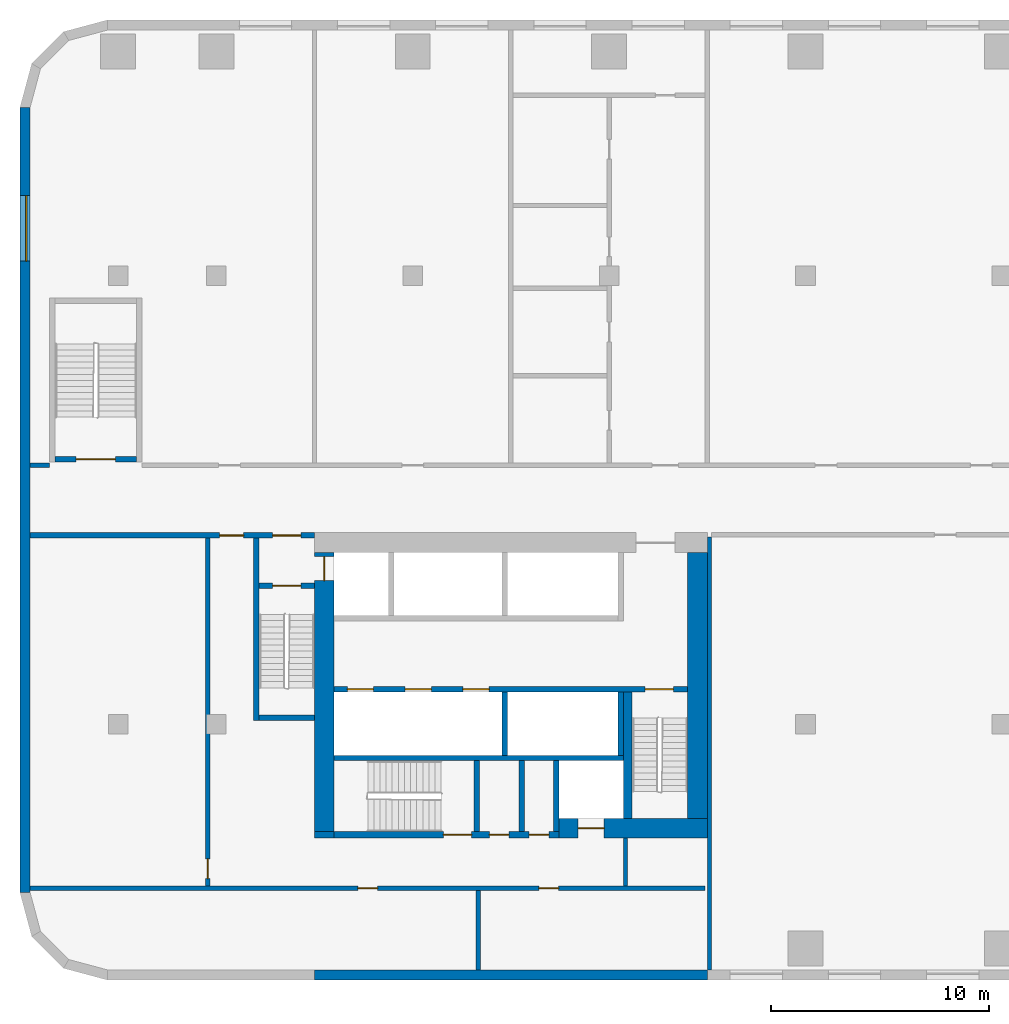
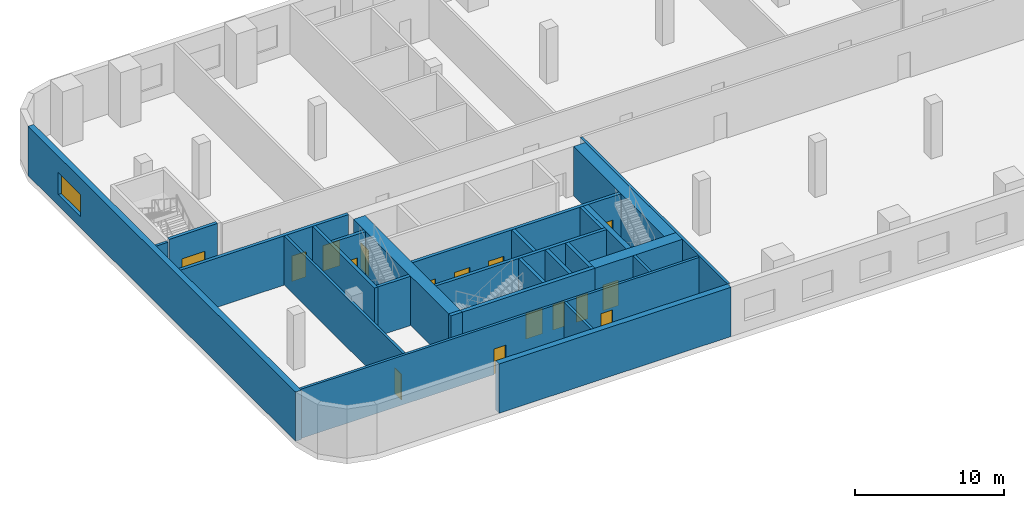
# One storey, part 2 of 15: 26 walls, 16 doors, 1 window, 17 openings.
"""IFC4 building model written with IfcOpenShell, lengths in metres."""

from ifc_helpers import new_model, si_unit, direction, frame, frame_2d, origin, place, context, subcontext, project, spatial, rectangle, extrude, material, layer, layer_set, type_object, element, fill, save


model = new_model("IFC4")

# Units and contexts
model_context = context("Model", 3, precision=1e-05, world=origin(), true_north=direction((0.0, 1.0)))
body_context = subcontext(model_context, "Body", "Model", "MODEL_VIEW")
ifc_project = project(units=[si_unit("LENGTHUNIT", "METRE"), si_unit("AREAUNIT", "SQUARE_METRE"), si_unit("VOLUMEUNIT", "CUBIC_METRE"), si_unit("PLANEANGLEUNIT", "RADIAN"), si_unit("MASSUNIT", "GRAM", prefix="KILO")], contexts=[model_context])

# Site, building, storey
site_placement = place(None, origin())
site = spatial("IfcSite", under=ifc_project, at=site_placement, CompositionType="ELEMENT")
building_placement = place(site_placement, origin())
building = spatial("IfcBuilding", under=site, at=building_placement, Name="Kajstack Hotel Tower", CompositionType="ELEMENT")
storey_placement = place(building_placement, frame((0.0, 0.0, 29.0)))
storey = spatial("IfcBuildingStorey", under=building, at=storey_placement, Name="L04", CompositionType="ELEMENT", Elevation=29.0)

# Wall, opening, door
ifc_material_1 = material(Name="Concrete C60/75", Category="concrete")
ifc_layer_1 = layer(ifc_material_1, 0.89990234375)
ifc_layer_set_1 = layer_set([ifc_layer_1], Name="Core wall 900")
wall_type_1 = type_object("IfcWallType", Name="Core wall 900", PredefinedType="SHEAR", material=ifc_layer_set_1)
wall_1_placement = place(storey_placement, frame((-20.300048828125, -15.050048828125, 0.0), z_axis=(0.0, 0.0, 1.0), x_axis=(1.0, 0.0, 0.0)))
wall_1 = element("IfcWall", 1, at=wall_1_placement, inside=storey, type_object=wall_type_1, Name="Core wall W RS", PredefinedType="SHEAR", context=body_context, shape_type="SweptSolid", body=[
    extrude(rectangle(XDim=6.800048828125, YDim=0.89990234375, at=frame_2d((3.39990234375, 0.0))), origin(), (0.0, 0.0, 1.0), 4.050048828125),
])
opening_1_placement = place(wall_1_placement, frame((0.875, 0.0, 0.0)))
opening_1 = element("IfcOpeningElement", 2, at=opening_1_placement, cuts=wall_1, Name="Opening LD-SV1", PredefinedType="OPENING", context=body_context, shape_type="SweptSolid", body=[
    extrude(rectangle(XDim=1.199951171875, YDim=2.10009765625, at=frame_2d((0.60009765625, 1.050048828125))), frame((0.0, 0.4599609375, 0.0), z_axis=(0.0, -1.0, 0.0), x_axis=(1.0, 0.0, 0.0)), (0.0, 0.0, 1.0), 0.919921875),
])
ifc_material_2 = material(Name="Stainless steel", Category="steel")
door_type_1 = type_object("IfcDoorType", Name="Lift landing door 1200", OperationType="SLIDING_TO_LEFT", PredefinedType="DOOR", material=ifc_material_2)
door_1_placement = place(opening_1_placement, origin())
door_1 = element("IfcDoor", 3, at=door_1_placement, inside=storey, type_object=door_type_1, Name="Landing door SV1", OperationType="SLIDING_TO_LEFT", OverallHeight=2.10009765625, OverallWidth=1.199951171875, PredefinedType="DOOR", context=body_context, shape_type="SweptSolid", body=[
    extrude(rectangle(XDim=1.199951171875, YDim=2.10009765625, at=frame_2d((0.60009765625, 1.050048828125))), frame((0.0, 0.02490234375, 0.0), z_axis=(0.0, -1.0, 0.0), x_axis=(1.0, 0.0, 0.0)), (0.0, 0.0, 1.0), 0.050048828125),
])
fill(opening_1, door_1)

# Wall
wall_2_placement = place(storey_placement, frame((-31.5, -15.35009765625, 0.0), z_axis=(0.0, 0.0, 1.0), x_axis=(1.0, 0.0, 0.0)))
element("IfcWall", 4, at=wall_2_placement, inside=storey, type_object=wall_type_1, Name="Core wall W RSW", PredefinedType="SHEAR", context=body_context, shape_type="SweptSolid", body=[
    extrude(rectangle(XDim=0.89990234375, YDim=0.300048828125, at=frame_2d((0.449951171875, 0.0))), origin(), (0.0, 0.0, 1.0), 4.050048828125),
])

# Wall, opening, door
wall_3_placement = place(storey_placement, frame((-31.050048828125, -15.199951171875, 0.0), z_axis=(0.0, 0.0, 1.0), x_axis=(0.0, 1.0, 0.0)))
wall_3 = element("IfcWall", 5, at=wall_3_placement, inside=storey, type_object=wall_type_1, Name="Core wall W RW", PredefinedType="SHEAR", context=body_context, shape_type="SweptSolid", body=[
    extrude(rectangle(XDim=12.800048828125, YDim=0.89990234375, at=frame_2d((6.39990234375, 0.0))), origin(), (0.0, 0.0, 1.0), 4.050048828125),
])
opening_2_placement = place(wall_3_placement, frame((11.5, 0.0, 0.0)))
opening_2 = element("IfcOpeningElement", 6, at=opening_2_placement, cuts=wall_3, Name="Opening LD-FF1", PredefinedType="OPENING", context=body_context, shape_type="SweptSolid", body=[
    extrude(rectangle(XDim=1.10009765625, YDim=2.10009765625, at=frame_2d((0.550048828125, 1.050048828125))), frame((0.0, 0.4599609375, 0.0), z_axis=(0.0, -1.0, 0.0), x_axis=(1.0, 0.0, 0.0)), (0.0, 0.0, 1.0), 0.919921875),
])
door_type_2 = type_object("IfcDoorType", Name="Fire-fighting lift landing door 1100", OperationType="SLIDING_TO_LEFT", PredefinedType="DOOR", material=ifc_material_2)
door_2_placement = place(opening_2_placement, origin())
door_2 = element("IfcDoor", 7, at=door_2_placement, inside=storey, type_object=door_type_2, Name="Landing door FF1", OperationType="SLIDING_TO_RIGHT", OverallHeight=2.10009765625, OverallWidth=1.10009765625, PredefinedType="DOOR", context=body_context, shape_type="SweptSolid", body=[
    extrude(rectangle(XDim=1.10009765625, YDim=2.10009765625, at=frame_2d((0.550048828125, 1.050048828125))), frame((0.0, 0.02490234375, 0.0), z_axis=(0.0, -1.0, 0.0), x_axis=(1.0, 0.0, 0.0)), (0.0, 0.0, 1.0), 0.050048828125),
])
fill(opening_2, door_2)

# Walls
wall_4_placement = place(storey_placement, frame((-13.949951171875, -14.60009765625, 0.0), z_axis=(0.0, 0.0, 1.0), x_axis=(0.0, 1.0, 0.0)))
element("IfcWall", 8, at=wall_4_placement, inside=storey, type_object=wall_type_1, Name="Core wall W RE", PredefinedType="SHEAR", context=body_context, shape_type="SweptSolid", body=[
    extrude(rectangle(XDim=12.2001953125, YDim=0.89990234375, at=frame_2d((6.10009765625, 0.0))), origin(), (0.0, 0.0, 1.0), 4.050048828125),
])
ifc_material_3 = material(Name="Concrete C40/50", Category="concrete")
ifc_layer_2 = layer(ifc_material_3, 0.449951171875)
ifc_layer_set_2 = layer_set([ifc_layer_2], Name="EW-CORE")
wall_type_2 = type_object("IfcWallType", Name="EW-CORE", PredefinedType="SOLIDWALL", material=ifc_layer_set_2)
wall_5_placement = place(storey_placement, frame((-31.5, -21.77490234375, 0.0), z_axis=(0.0, 0.0, 1.0), x_axis=(1.0, 0.0, 0.0)))
element("IfcWall", 9, at=wall_5_placement, inside=storey, type_object=wall_type_2, Name="E-wall-L04-03-01", PredefinedType="SOLIDWALL", context=body_context, shape_type="SweptSolid", body=[
    extrude(rectangle(XDim=18.0, YDim=0.449951171875, at=frame_2d((9.0, 0.0))), origin(), (0.0, 0.0, 1.0), 4.050048828125),
])

# Wall, opening, window
ifc_material_4 = material(Name="Terracotta-faced brick masonry", Category="masonry")
ifc_layer_3 = layer(ifc_material_4, 0.449951171875)
ifc_layer_set_3 = layer_set([ifc_layer_3], Name="EW-TERRA")
wall_type_3 = type_object("IfcWallType", Name="EW-TERRA", PredefinedType="SOLIDWALL", material=ifc_layer_set_3)
wall_6_placement = place(storey_placement, frame((-44.77490234375, 18.0, 0.0), z_axis=(0.0, 0.0, 1.0), x_axis=(0.0, -1.0, 0.0)))
wall_6 = element("IfcWall", 10, at=wall_6_placement, inside=storey, type_object=wall_type_3, Name="E-wall-L04-15-00", PredefinedType="SOLIDWALL", context=body_context, shape_type="SweptSolid", body=[
    extrude(rectangle(XDim=36.0, YDim=0.449951171875, at=frame_2d((18.0, 0.0))), origin(), (0.0, 0.0, 1.0), 4.050048828125),
])
opening_3_placement = place(wall_6_placement, frame((4.050048828125, 0.0, 0.89990234375)))
opening_3 = element("IfcOpeningElement", 11, at=opening_3_placement, cuts=wall_6, Name="Opening W5", PredefinedType="OPENING", context=body_context, shape_type="SweptSolid", body=[
    extrude(rectangle(XDim=3.0, YDim=1.800048828125, at=frame_2d((1.5, 0.89990234375))), frame((0.0, 0.23486328125, 0.0), z_axis=(0.0, -1.0, 0.0), x_axis=(1.0, 0.0, 0.0)), (0.0, 0.0, 1.0), 0.469970703125),
])
ifc_material_5 = material(Name="Timber-aluminium window, triple glazed", Category="wood")
window_type = type_object("IfcWindowType", Name="WP2", PartitioningType="SINGLE_PANEL", PredefinedType="WINDOW", material=ifc_material_5)
window_placement = place(opening_3_placement, origin())
window = element("IfcWindow", 12, at=window_placement, inside=storey, type_object=window_type, Name="Window W5 L04-15", OverallHeight=1.800048828125, OverallWidth=3.0, PartitioningType="SINGLE_PANEL", PredefinedType="WINDOW", context=body_context, shape_type="SweptSolid", body=[
    extrude(rectangle(XDim=3.0, YDim=1.800048828125, at=frame_2d((1.5, 0.89990234375))), frame((0.0, 0.090087890625, 0.0), z_axis=(0.0, -1.0, 0.0), x_axis=(1.0, 0.0, 0.0)), (0.0, 0.0, 1.0), 0.06005859375),
])
fill(opening_3, window)

# Walls
ifc_material_6 = material(Name="Concrete C50/60", Category="concrete")
ifc_layer_4 = layer(ifc_material_6, 0.300048828125)
ifc_layer_set_4 = layer_set([ifc_layer_4], Name="Hoistway divider wall 300")
wall_type_4 = type_object("IfcWallType", Name="Hoistway divider wall 300", PredefinedType="SHEAR", material=ifc_layer_set_4)
wall_7_placement = place(storey_placement, frame((-22.77490234375, -11.699951171875, 0.0), z_axis=(0.0, 0.0, 1.0), x_axis=(0.0, 1.0, 0.0)))
element("IfcWall", 13, at=wall_7_placement, inside=storey, type_object=wall_type_4, Name="Core wall W BP2", PredefinedType="SHEAR", context=body_context, shape_type="SweptSolid", body=[
    extrude(rectangle(XDim=2.89990234375, YDim=0.25, at=frame_2d((1.449951171875, 0.0))), origin(), (0.0, 0.0, 1.0), 4.050048828125),
])
ifc_material_7 = material(Name="Gypsum board on steel studs, mineral wool", Category="steel")
ifc_layer_5 = layer(ifc_material_7, 0.199951171875)
ifc_layer_set_5 = layer_set([ifc_layer_5], Name="Public partition 200")
wall_type_5 = type_object("IfcWallType", Name="Public partition 200", PredefinedType="PARTITIONING", material=ifc_layer_set_5)
wall_8_placement = place(storey_placement, frame((-44.550048828125, 1.60009765625, 0.0), z_axis=(0.0, 0.0, 1.0), x_axis=(1.0, 0.0, 0.0)))
element("IfcWall", 14, at=wall_8_placement, inside=storey, type_object=wall_type_5, Name="Partition FWW", PredefinedType="PARTITIONING", context=body_context, shape_type="SweptSolid", body=[
    extrude(rectangle(XDim=0.900146484375, YDim=0.199951171875, at=frame_2d((0.4501953125, 0.0))), origin(), (0.0, 0.0, 1.0), 4.050048828125),
])
wall_9_placement = place(storey_placement, frame((-13.39990234375, -21.550048828125, 0.0), z_axis=(0.0, 0.0, 1.0), x_axis=(0.0, 1.0, 0.0)))
element("IfcWall", 15, at=wall_9_placement, inside=storey, type_object=wall_type_5, Name="Partition SEW", PredefinedType="PARTITIONING", context=body_context, shape_type="SweptSolid", body=[
    extrude(rectangle(XDim=19.85009765625, YDim=0.199951171875, at=frame_2d((9.925048828125, 0.0))), origin(), (0.0, 0.0, 1.0), 4.050048828125),
])
ifc_material_8 = material(Name="Concrete block masonry", Category="masonry")
ifc_layer_6 = layer(ifc_material_8, 0.25)
ifc_layer_set_6 = layer_set([ifc_layer_6], Name="Riser partition 250")
wall_type_6 = type_object("IfcWallType", Name="Riser partition 250", PredefinedType="PARTITIONING", material=ifc_layer_set_6)
wall_10_placement = place(storey_placement, frame((-22.0, -15.199951171875, 0.0), z_axis=(0.0, 0.0, 1.0), x_axis=(0.0, 1.0, 0.0)))
element("IfcWall", 16, at=wall_10_placement, inside=storey, type_object=wall_type_6, Name="Partition W SZ0", PredefinedType="PARTITIONING", context=body_context, shape_type="SweptSolid", body=[
    extrude(rectangle(XDim=3.25, YDim=0.25, at=frame_2d((1.625, 0.0))), origin(), (0.0, 0.0, 1.0), 4.050048828125),
])

# Wall, openings, doors
ifc_layer_7 = layer(ifc_material_7, 0.199951171875)
ifc_layer_set_7 = layer_set([ifc_layer_7], Name="Service partition 200")
wall_type_7 = type_object("IfcWallType", Name="Service partition 200", PredefinedType="PARTITIONING", material=ifc_layer_set_7)
wall_11_placement = place(storey_placement, frame((-44.550048828125, -1.625, 0.0), z_axis=(0.0, 0.0, 1.0), x_axis=(1.0, 0.0, 0.0)))
wall_11 = element("IfcWall", 17, at=wall_11_placement, inside=storey, type_object=wall_type_7, Name="Partition W SN", PredefinedType="PARTITIONING", context=body_context, shape_type="SweptSolid", body=[
    extrude(rectangle(XDim=13.050048828125, YDim=0.25, at=frame_2d((6.52490234375, 0.0))), origin(), (0.0, 0.0, 1.0), 4.050048828125),
])
opening_4_placement = place(wall_11_placement, frame((11.125, 0.0, 0.0)))
opening_4 = element("IfcOpeningElement", 18, at=opening_4_placement, cuts=wall_11, Name="Opening 04W07", PredefinedType="OPENING", context=body_context, shape_type="SweptSolid", body=[
    extrude(rectangle(XDim=1.300048828125, YDim=2.10009765625, at=frame_2d((0.64990234375, 1.050048828125))), frame((0.0, 0.135009765625, 0.0), z_axis=(0.0, -1.0, 0.0), x_axis=(1.0, 0.0, 0.0)), (0.0, 0.0, 1.0), 0.27001953125),
])
opening_5_placement = place(wall_11_placement, frame((8.699951171875, 0.0, 0.0)))
opening_5 = element("IfcOpeningElement", 19, at=opening_5_placement, cuts=wall_11, Name="Opening 04W09", PredefinedType="OPENING", context=body_context, shape_type="SweptSolid", body=[
    extrude(rectangle(XDim=1.10009765625, YDim=2.10009765625, at=frame_2d((0.550048828125, 1.050048828125))), frame((0.0, 0.135009765625, 0.0), z_axis=(0.0, -1.0, 0.0), x_axis=(1.0, 0.0, 0.0)), (0.0, 0.0, 1.0), 0.27001953125),
])
ifc_material_9 = material(Name="Steel leaf, fire-rated", Category="steel")
door_type_3 = type_object("IfcDoorType", Name="Fire lobby door 1300", OperationType="SINGLE_SWING_LEFT", PredefinedType="DOOR", material=ifc_material_9)
door_3_placement = place(opening_4_placement, origin())
door_3 = element("IfcDoor", 20, at=door_3_placement, inside=storey, type_object=door_type_3, Name="Door 04W07", OperationType="SINGLE_SWING_RIGHT", OverallHeight=2.10009765625, OverallWidth=1.300048828125, PredefinedType="DOOR", context=body_context, shape_type="SweptSolid", body=[
    extrude(rectangle(XDim=1.300048828125, YDim=2.10009765625, at=frame_2d((0.64990234375, 1.050048828125))), frame((0.0, 0.02490234375, 0.0), z_axis=(0.0, -1.0, 0.0), x_axis=(1.0, 0.0, 0.0)), (0.0, 0.0, 1.0), 0.050048828125),
])
fill(opening_4, door_3)
ifc_material_10 = material(Name="Timber leaf, fire-rated", Category="wood")
door_type_4 = type_object("IfcDoorType", Name="Service corridor door 1100", OperationType="SINGLE_SWING_LEFT", PredefinedType="DOOR", material=ifc_material_10)
door_4_placement = place(opening_5_placement, origin())
door_4 = element("IfcDoor", 21, at=door_4_placement, inside=storey, type_object=door_type_4, Name="Door 04W09", OperationType="SINGLE_SWING_RIGHT", OverallHeight=2.10009765625, OverallWidth=1.10009765625, PredefinedType="DOOR", context=body_context, shape_type="SweptSolid", body=[
    extrude(rectangle(XDim=1.10009765625, YDim=2.10009765625, at=frame_2d((0.550048828125, 1.050048828125))), frame((0.0, 0.02490234375, 0.0), z_axis=(0.0, -1.0, 0.0), x_axis=(1.0, 0.0, 0.0)), (0.0, 0.0, 1.0), 0.050048828125),
])
fill(opening_5, door_4)

# Wall
wall_12_placement = place(storey_placement, frame((-17.25, -17.699951171875, 0.0), z_axis=(0.0, 0.0, 1.0), x_axis=(0.0, 1.0, 0.0)))
element("IfcWall", 22, at=wall_12_placement, inside=storey, type_object=wall_type_7, Name="Partition W SCE", PredefinedType="PARTITIONING", context=body_context, shape_type="SweptSolid", body=[
    extrude(rectangle(XDim=2.199951171875, YDim=0.199951171875, at=frame_2d((1.10009765625, 0.0))), origin(), (0.0, 0.0, 1.0), 4.050048828125),
])

# Wall, opening, door
wall_13_placement = place(storey_placement, frame((-36.39990234375, -17.699951171875, 0.0), z_axis=(0.0, 0.0, 1.0), x_axis=(0.0, 1.0, 0.0)))
wall_13 = element("IfcWall", 23, at=wall_13_placement, inside=storey, type_object=wall_type_7, Name="Partition W WRE", PredefinedType="PARTITIONING", context=body_context, shape_type="SweptSolid", body=[
    extrude(rectangle(XDim=15.949951171875, YDim=0.199951171875, at=frame_2d((7.97509765625, 0.0))), origin(), (0.0, 0.0, 1.0), 4.050048828125),
])
opening_6_placement = place(wall_13_placement, frame((0.35009765625, 0.0, 0.0)))
opening_6 = element("IfcOpeningElement", 24, at=opening_6_placement, cuts=wall_13, Name="Opening 04W16", PredefinedType="OPENING", context=body_context, shape_type="SweptSolid", body=[
    extrude(rectangle(XDim=0.89990234375, YDim=2.10009765625, at=frame_2d((0.449951171875, 1.050048828125))), frame((0.0, 0.10986328125, 0.0), z_axis=(0.0, -1.0, 0.0), x_axis=(1.0, 0.0, 0.0)), (0.0, 0.0, 1.0), 0.219970703125),
])
door_type_5 = type_object("IfcDoorType", Name="Service door 900", OperationType="SINGLE_SWING_LEFT", PredefinedType="DOOR", material=ifc_material_10)
door_5_placement = place(opening_6_placement, origin())
door_5 = element("IfcDoor", 25, at=door_5_placement, inside=storey, type_object=door_type_5, Name="Door 04W16", OperationType="SINGLE_SWING_LEFT", OverallHeight=2.10009765625, OverallWidth=0.89990234375, PredefinedType="DOOR", context=body_context, shape_type="SweptSolid", body=[
    extrude(rectangle(XDim=0.89990234375, YDim=2.10009765625, at=frame_2d((0.449951171875, 1.050048828125))), frame((0.0, 0.02490234375, 0.0), z_axis=(0.0, -1.0, 0.0), x_axis=(1.0, 0.0, 0.0)), (0.0, 0.0, 1.0), 0.050048828125),
])
fill(opening_6, door_5)

# Wall, openings, doors
wall_14_placement = place(storey_placement, frame((-44.550048828125, -17.800048828125, 0.0), z_axis=(0.0, 0.0, 1.0), x_axis=(1.0, 0.0, 0.0)))
wall_14 = element("IfcWall", 26, at=wall_14_placement, inside=storey, type_object=wall_type_7, Name="Partition W SLN", PredefinedType="PARTITIONING", context=body_context, shape_type="SweptSolid", body=[
    extrude(rectangle(XDim=30.949951171875, YDim=0.199951171875, at=frame_2d((15.47509765625, 0.0))), origin(), (0.0, 0.0, 1.0), 4.050048828125),
])
opening_7_placement = place(wall_14_placement, frame((15.03759765625, 0.0, 0.0)))
opening_7 = element("IfcOpeningElement", 27, at=opening_7_placement, cuts=wall_14, Name="Opening 04W14", PredefinedType="OPENING", context=body_context, shape_type="SweptSolid", body=[
    extrude(rectangle(XDim=0.89990234375, YDim=2.10009765625, at=frame_2d((0.449951171875, 1.050048828125))), frame((0.0, 0.10986328125, 0.0), z_axis=(0.0, -1.0, 0.0), x_axis=(1.0, 0.0, 0.0)), (0.0, 0.0, 1.0), 0.219970703125),
])
opening_8_placement = place(wall_14_placement, frame((23.33740234375, 0.0, 0.0)))
opening_8 = element("IfcOpeningElement", 28, at=opening_8_placement, cuts=wall_14, Name="Opening 04W15", PredefinedType="OPENING", context=body_context, shape_type="SweptSolid", body=[
    extrude(rectangle(XDim=0.89990234375, YDim=2.10009765625, at=frame_2d((0.449951171875, 1.050048828125))), frame((0.0, 0.10986328125, 0.0), z_axis=(0.0, -1.0, 0.0), x_axis=(1.0, 0.0, 0.0)), (0.0, 0.0, 1.0), 0.219970703125),
])
door_6_placement = place(opening_7_placement, origin())
door_6 = element("IfcDoor", 29, at=door_6_placement, inside=storey, type_object=door_type_5, Name="Door 04W14", OperationType="SINGLE_SWING_RIGHT", OverallHeight=2.10009765625, OverallWidth=0.89990234375, PredefinedType="DOOR", context=body_context, shape_type="SweptSolid", body=[
    extrude(rectangle(XDim=0.89990234375, YDim=2.10009765625, at=frame_2d((0.449951171875, 1.050048828125))), frame((0.0, 0.02490234375, 0.0), z_axis=(0.0, -1.0, 0.0), x_axis=(1.0, 0.0, 0.0)), (0.0, 0.0, 1.0), 0.050048828125),
])
fill(opening_7, door_6)
door_7_placement = place(opening_8_placement, origin())
door_7 = element("IfcDoor", 30, at=door_7_placement, inside=storey, type_object=door_type_5, Name="Door 04W15", OperationType="SINGLE_SWING_RIGHT", OverallHeight=2.10009765625, OverallWidth=0.89990234375, PredefinedType="DOOR", context=body_context, shape_type="SweptSolid", body=[
    extrude(rectangle(XDim=0.89990234375, YDim=2.10009765625, at=frame_2d((0.449951171875, 1.050048828125))), frame((0.0, 0.02490234375, 0.0), z_axis=(0.0, -1.0, 0.0), x_axis=(1.0, 0.0, 0.0)), (0.0, 0.0, 1.0), 0.050048828125),
])
fill(opening_8, door_7)

# Wall
wall_15_placement = place(storey_placement, frame((-24.0, -21.550048828125, 0.0), z_axis=(0.0, 0.0, 1.0), x_axis=(0.0, 1.0, 0.0)))
element("IfcWall", 31, at=wall_15_placement, inside=storey, type_object=wall_type_7, Name="Partition W SLP0", PredefinedType="PARTITIONING", context=body_context, shape_type="SweptSolid", body=[
    extrude(rectangle(XDim=3.650146484375, YDim=0.199951171875, at=frame_2d((1.8251953125, 0.0))), origin(), (0.0, 0.0, 1.0), 4.050048828125),
])

# Wall, openings, doors
ifc_layer_8 = layer(ifc_material_6, 0.25)
ifc_layer_set_8 = layer_set([ifc_layer_8], Name="Shaft wall 250")
wall_type_8 = type_object("IfcWallType", Name="Shaft wall 250", PredefinedType="SHEAR", material=ifc_layer_set_8)
wall_16_placement = place(storey_placement, frame((-30.60009765625, -15.35009765625, 0.0), z_axis=(0.0, 0.0, 1.0), x_axis=(1.0, 0.0, 0.0)))
wall_16 = element("IfcWall", 32, at=wall_16_placement, inside=storey, type_object=wall_type_8, Name="Core wall W RSS", PredefinedType="SHEAR", context=body_context, shape_type="SweptSolid", body=[
    extrude(rectangle(XDim=10.300048828125, YDim=0.300048828125, at=frame_2d((5.14990234375, 0.0))), origin(), (0.0, 0.0, 1.0), 4.050048828125),
])
opening_9_placement = place(wall_16_placement, frame((5.0, 0.0, 0.0)))
opening_9 = element("IfcOpeningElement", 33, at=opening_9_placement, cuts=wall_16, Name="Opening 04W11", PredefinedType="OPENING", context=body_context, shape_type="SweptSolid", body=[
    extrude(rectangle(XDim=1.300048828125, YDim=2.10009765625, at=frame_2d((0.64990234375, 1.050048828125))), frame((0.0, 0.159912109375, 0.0), z_axis=(0.0, -1.0, 0.0), x_axis=(1.0, 0.0, 0.0)), (0.0, 0.0, 1.0), 0.320068359375),
])
opening_10_placement = place(wall_16_placement, frame((7.112548828125, 0.0, 0.0)))
opening_10 = element("IfcOpeningElement", 34, at=opening_10_placement, cuts=wall_16, Name="Opening 04W12", PredefinedType="OPENING", context=body_context, shape_type="SweptSolid", body=[
    extrude(rectangle(XDim=0.89990234375, YDim=2.10009765625, at=frame_2d((0.449951171875, 1.050048828125))), frame((0.0, 0.159912109375, 0.0), z_axis=(0.0, -1.0, 0.0), x_axis=(1.0, 0.0, 0.0)), (0.0, 0.0, 1.0), 0.320068359375),
])
opening_11_placement = place(wall_16_placement, frame((8.9375, 0.0, 0.0)))
opening_11 = element("IfcOpeningElement", 35, at=opening_11_placement, cuts=wall_16, Name="Opening 04W13", PredefinedType="OPENING", context=body_context, shape_type="SweptSolid", body=[
    extrude(rectangle(XDim=0.89990234375, YDim=2.10009765625, at=frame_2d((0.449951171875, 1.050048828125))), frame((0.0, 0.159912109375, 0.0), z_axis=(0.0, -1.0, 0.0), x_axis=(1.0, 0.0, 0.0)), (0.0, 0.0, 1.0), 0.320068359375),
])
door_8_placement = place(opening_10_placement, origin())
door_8 = element("IfcDoor", 36, at=door_8_placement, inside=storey, type_object=door_type_5, Name="Door 04W12", OperationType="SINGLE_SWING_LEFT", OverallHeight=2.10009765625, OverallWidth=0.89990234375, PredefinedType="DOOR", context=body_context, shape_type="SweptSolid", body=[
    extrude(rectangle(XDim=0.89990234375, YDim=2.10009765625, at=frame_2d((0.449951171875, 1.050048828125))), frame((0.0, 0.02490234375, 0.0), z_axis=(0.0, -1.0, 0.0), x_axis=(1.0, 0.0, 0.0)), (0.0, 0.0, 1.0), 0.050048828125),
])
fill(opening_10, door_8)
door_9_placement = place(opening_11_placement, origin())
door_9 = element("IfcDoor", 37, at=door_9_placement, inside=storey, type_object=door_type_5, Name="Door 04W13", OperationType="SINGLE_SWING_LEFT", OverallHeight=2.10009765625, OverallWidth=0.89990234375, PredefinedType="DOOR", context=body_context, shape_type="SweptSolid", body=[
    extrude(rectangle(XDim=0.89990234375, YDim=2.10009765625, at=frame_2d((0.449951171875, 1.050048828125))), frame((0.0, 0.02490234375, 0.0), z_axis=(0.0, -1.0, 0.0), x_axis=(1.0, 0.0, 0.0)), (0.0, 0.0, 1.0), 0.050048828125),
])
fill(opening_11, door_9)
door_type_6 = type_object("IfcDoorType", Name="Stair door 1300", OperationType="SINGLE_SWING_LEFT", PredefinedType="DOOR", material=ifc_material_9)
door_10_placement = place(opening_9_placement, origin())
door_10 = element("IfcDoor", 38, at=door_10_placement, inside=storey, type_object=door_type_6, Name="Door 04W11", OperationType="SINGLE_SWING_RIGHT", OverallHeight=2.10009765625, OverallWidth=1.300048828125, PredefinedType="DOOR", context=body_context, shape_type="SweptSolid", body=[
    extrude(rectangle(XDim=1.300048828125, YDim=2.10009765625, at=frame_2d((0.64990234375, 1.050048828125))), frame((0.0, 0.02490234375, 0.0), z_axis=(0.0, -1.0, 0.0), x_axis=(1.0, 0.0, 0.0)), (0.0, 0.0, 1.0), 0.050048828125),
])
fill(opening_9, door_10)

wall_17_placement = place(storey_placement, frame((-30.60009765625, -8.675048828125, 0.0), z_axis=(0.0, 0.0, 1.0), x_axis=(1.0, 0.0, 0.0)))
wall_17 = element("IfcWall", 39, at=wall_17_placement, inside=storey, type_object=wall_type_8, Name="Core wall W FB", PredefinedType="SHEAR", context=body_context, shape_type="SweptSolid", body=[
    extrude(rectangle(XDim=16.2001953125, YDim=0.25, at=frame_2d((8.10009765625, 0.0))), origin(), (0.0, 0.0, 1.0), 4.050048828125),
])
opening_12_placement = place(wall_17_placement, frame((0.60009765625, 0.0, 0.0)))
opening_12 = element("IfcOpeningElement", 40, at=opening_12_placement, cuts=wall_17, Name="Opening LD-LR1", PredefinedType="OPENING", context=body_context, shape_type="SweptSolid", body=[
    extrude(rectangle(XDim=1.199951171875, YDim=2.10009765625, at=frame_2d((0.60009765625, 1.050048828125))), frame((0.0, 0.135009765625, 0.0), z_axis=(0.0, -1.0, 0.0), x_axis=(1.0, 0.0, 0.0)), (0.0, 0.0, 1.0), 0.27001953125),
])
opening_13_placement = place(wall_17_placement, frame((3.25, 0.0, 0.0)))
opening_13 = element("IfcOpeningElement", 41, at=opening_13_placement, cuts=wall_17, Name="Opening LD-LR2", PredefinedType="OPENING", context=body_context, shape_type="SweptSolid", body=[
    extrude(rectangle(XDim=1.199951171875, YDim=2.10009765625, at=frame_2d((0.60009765625, 1.050048828125))), frame((0.0, 0.135009765625, 0.0), z_axis=(0.0, -1.0, 0.0), x_axis=(1.0, 0.0, 0.0)), (0.0, 0.0, 1.0), 0.27001953125),
])
opening_14_placement = place(wall_17_placement, frame((5.89990234375, 0.0, 0.0)))
opening_14 = element("IfcOpeningElement", 42, at=opening_14_placement, cuts=wall_17, Name="Opening LD-LR3", PredefinedType="OPENING", context=body_context, shape_type="SweptSolid", body=[
    extrude(rectangle(XDim=1.199951171875, YDim=2.10009765625, at=frame_2d((0.60009765625, 1.050048828125))), frame((0.0, 0.135009765625, 0.0), z_axis=(0.0, -1.0, 0.0), x_axis=(1.0, 0.0, 0.0)), (0.0, 0.0, 1.0), 0.27001953125),
])
opening_15_placement = place(wall_17_placement, frame((14.25, 0.0, 0.0)))
opening_15 = element("IfcOpeningElement", 43, at=opening_15_placement, cuts=wall_17, Name="Opening 04W10", PredefinedType="OPENING", context=body_context, shape_type="SweptSolid", body=[
    extrude(rectangle(XDim=1.300048828125, YDim=2.10009765625, at=frame_2d((0.64990234375, 1.050048828125))), frame((0.0, 0.135009765625, 0.0), z_axis=(0.0, -1.0, 0.0), x_axis=(1.0, 0.0, 0.0)), (0.0, 0.0, 1.0), 0.27001953125),
])
door_11_placement = place(opening_12_placement, origin())
door_11 = element("IfcDoor", 44, at=door_11_placement, inside=storey, type_object=door_type_1, Name="Landing door LR1", OperationType="SLIDING_TO_LEFT", OverallHeight=2.10009765625, OverallWidth=1.199951171875, PredefinedType="DOOR", context=body_context, shape_type="SweptSolid", body=[
    extrude(rectangle(XDim=1.199951171875, YDim=2.10009765625, at=frame_2d((0.60009765625, 1.050048828125))), frame((0.0, 0.02490234375, 0.0), z_axis=(0.0, -1.0, 0.0), x_axis=(1.0, 0.0, 0.0)), (0.0, 0.0, 1.0), 0.050048828125),
])
fill(opening_12, door_11)
door_12_placement = place(opening_13_placement, origin())
door_12 = element("IfcDoor", 45, at=door_12_placement, inside=storey, type_object=door_type_1, Name="Landing door LR2", OperationType="SLIDING_TO_RIGHT", OverallHeight=2.10009765625, OverallWidth=1.199951171875, PredefinedType="DOOR", context=body_context, shape_type="SweptSolid", body=[
    extrude(rectangle(XDim=1.199951171875, YDim=2.10009765625, at=frame_2d((0.60009765625, 1.050048828125))), frame((0.0, 0.02490234375, 0.0), z_axis=(0.0, -1.0, 0.0), x_axis=(1.0, 0.0, 0.0)), (0.0, 0.0, 1.0), 0.050048828125),
])
fill(opening_13, door_12)
door_13_placement = place(opening_14_placement, origin())
door_13 = element("IfcDoor", 46, at=door_13_placement, inside=storey, type_object=door_type_1, Name="Landing door LR3", OperationType="SLIDING_TO_RIGHT", OverallHeight=2.10009765625, OverallWidth=1.199951171875, PredefinedType="DOOR", context=body_context, shape_type="SweptSolid", body=[
    extrude(rectangle(XDim=1.199951171875, YDim=2.10009765625, at=frame_2d((0.60009765625, 1.050048828125))), frame((0.0, 0.02490234375, 0.0), z_axis=(0.0, -1.0, 0.0), x_axis=(1.0, 0.0, 0.0)), (0.0, 0.0, 1.0), 0.050048828125),
])
fill(opening_14, door_13)
door_14_placement = place(opening_15_placement, origin())
door_14 = element("IfcDoor", 47, at=door_14_placement, inside=storey, type_object=door_type_6, Name="Door 04W10", OperationType="SINGLE_SWING_RIGHT", OverallHeight=2.10009765625, OverallWidth=1.300048828125, PredefinedType="DOOR", context=body_context, shape_type="SweptSolid", body=[
    extrude(rectangle(XDim=1.300048828125, YDim=2.10009765625, at=frame_2d((0.64990234375, 1.050048828125))), frame((0.0, 0.02490234375, 0.0), z_axis=(0.0, -1.0, 0.0), x_axis=(1.0, 0.0, 0.0)), (0.0, 0.0, 1.0), 0.050048828125),
])
fill(opening_15, door_14)

# Walls
wall_18_placement = place(storey_placement, frame((-30.60009765625, -11.824951171875, 0.0), z_axis=(0.0, 0.0, 1.0), x_axis=(1.0, 0.0, 0.0)))
element("IfcWall", 48, at=wall_18_placement, inside=storey, type_object=wall_type_8, Name="Core wall W RB", PredefinedType="SHEAR", context=body_context, shape_type="SweptSolid", body=[
    extrude(rectangle(XDim=13.25, YDim=0.25, at=frame_2d((6.625, 0.0))), origin(), (0.0, 0.0, 1.0), 4.050048828125),
])
wall_19_placement = place(storey_placement, frame((-17.47509765625, -11.699951171875, 0.0), z_axis=(0.0, 0.0, 1.0), x_axis=(0.0, 1.0, 0.0)))
element("IfcWall", 49, at=wall_19_placement, inside=storey, type_object=wall_type_8, Name="Core wall W BE", PredefinedType="SHEAR", context=body_context, shape_type="SweptSolid", body=[
    extrude(rectangle(XDim=2.89990234375, YDim=0.25, at=frame_2d((1.449951171875, 0.0))), origin(), (0.0, 0.0, 1.0), 4.050048828125),
])
wall_20_placement = place(storey_placement, frame((-20.425048828125, -15.199951171875, 0.0), z_axis=(0.0, 0.0, 1.0), x_axis=(0.0, 1.0, 0.0)))
element("IfcWall", 50, at=wall_20_placement, inside=storey, type_object=wall_type_8, Name="Core wall W SVW", PredefinedType="SHEAR", context=body_context, shape_type="SweptSolid", body=[
    extrude(rectangle(XDim=3.25, YDim=0.25, at=frame_2d((1.625, 0.0))), origin(), (0.0, 0.0, 1.0), 4.050048828125),
])

# Wall, opening, door
ifc_layer_9 = layer(ifc_material_3, 0.25)
ifc_layer_set_9 = layer_set([ifc_layer_9], Name="Stair enclosure wall 250")
wall_type_9 = type_object("IfcWallType", Name="Stair enclosure wall 250", PredefinedType="SHEAR", material=ifc_layer_set_9)
wall_21_placement = place(storey_placement, frame((-34.050048828125, -3.925048828125, 0.0), z_axis=(0.0, 0.0, 1.0), x_axis=(1.0, 0.0, 0.0)))
wall_21 = element("IfcWall", 51, at=wall_21_placement, inside=storey, type_object=wall_type_9, Name="Core wall W W1N", PredefinedType="SHEAR", context=body_context, shape_type="SweptSolid", body=[
    extrude(rectangle(XDim=2.550048828125, YDim=0.25, at=frame_2d((1.27490234375, 0.0))), origin(), (0.0, 0.0, 1.0), 4.050048828125),
])
opening_16_placement = place(wall_21_placement, frame((0.625, 0.0, 0.0)))
opening_16 = element("IfcOpeningElement", 52, at=opening_16_placement, cuts=wall_21, Name="Opening 04W08", PredefinedType="OPENING", context=body_context, shape_type="SweptSolid", body=[
    extrude(rectangle(XDim=1.300048828125, YDim=2.10009765625, at=frame_2d((0.64990234375, 1.050048828125))), frame((0.0, 0.135009765625, 0.0), z_axis=(0.0, -1.0, 0.0), x_axis=(1.0, 0.0, 0.0)), (0.0, 0.0, 1.0), 0.27001953125),
])
door_15_placement = place(opening_16_placement, origin())
door_15 = element("IfcDoor", 53, at=door_15_placement, inside=storey, type_object=door_type_6, Name="Door 04W08", OperationType="SINGLE_SWING_RIGHT", OverallHeight=2.10009765625, OverallWidth=1.300048828125, PredefinedType="DOOR", context=body_context, shape_type="SweptSolid", body=[
    extrude(rectangle(XDim=1.300048828125, YDim=2.10009765625, at=frame_2d((0.64990234375, 1.050048828125))), frame((0.0, 0.02490234375, 0.0), z_axis=(0.0, -1.0, 0.0), x_axis=(1.0, 0.0, 0.0)), (0.0, 0.0, 1.0), 0.050048828125),
])
fill(opening_16, door_15)

# Walls
wall_22_placement = place(storey_placement, frame((-34.175048828125, -10.10009765625, 0.0), z_axis=(0.0, 0.0, 1.0), x_axis=(0.0, 1.0, 0.0)))
element("IfcWall", 54, at=wall_22_placement, inside=storey, type_object=wall_type_9, Name="Core wall W W1W", PredefinedType="SHEAR", context=body_context, shape_type="SweptSolid", body=[
    extrude(rectangle(XDim=8.35009765625, YDim=0.25, at=frame_2d((4.175048828125, 0.0))), origin(), (0.0, 0.0, 1.0), 4.050048828125),
])
wall_23_placement = place(storey_placement, frame((-34.050048828125, -9.97509765625, 0.0), z_axis=(0.0, 0.0, 1.0), x_axis=(1.0, 0.0, 0.0)))
element("IfcWall", 55, at=wall_23_placement, inside=storey, type_object=wall_type_9, Name="Core wall W W1S", PredefinedType="SHEAR", context=body_context, shape_type="SweptSolid", body=[
    extrude(rectangle(XDim=2.550048828125, YDim=0.25, at=frame_2d((1.27490234375, 0.0))), origin(), (0.0, 0.0, 1.0), 4.050048828125),
])

# Wall, opening, door
wall_24_placement = place(storey_placement, frame((-43.39990234375, 1.875, 0.0), z_axis=(0.0, 0.0, 1.0), x_axis=(1.0, 0.0, 0.0)))
wall_24 = element("IfcWall", 56, at=wall_24_placement, inside=storey, type_object=wall_type_9, Name="Stair wall P1 N", PredefinedType="SHEAR", context=body_context, shape_type="SweptSolid", body=[
    extrude(rectangle(XDim=3.75, YDim=0.25, at=frame_2d((1.875, 0.0))), origin(), (0.0, 0.0, 1.0), 4.050048828125),
])
opening_17_placement = place(wall_24_placement, frame((0.97509765625, 0.0, 0.0)))
opening_17 = element("IfcOpeningElement", 57, at=opening_17_placement, cuts=wall_24, Name="Opening 04P1", PredefinedType="OPENING", context=body_context, shape_type="SweptSolid", body=[
    extrude(rectangle(XDim=1.800048828125, YDim=2.10009765625, at=frame_2d((0.89990234375, 1.050048828125))), frame((0.0, 0.135009765625, 0.0), z_axis=(0.0, -1.0, 0.0), x_axis=(1.0, 0.0, 0.0)), (0.0, 0.0, 1.0), 0.27001953125),
])
door_type_7 = type_object("IfcDoorType", Name="Stair door 1800", OperationType="DOUBLE_DOOR_DOUBLE_SWING", PredefinedType="DOOR", material=ifc_material_9)
door_16_placement = place(opening_17_placement, origin())
door_16 = element("IfcDoor", 58, at=door_16_placement, inside=storey, type_object=door_type_7, Name="Door 04P1", OperationType="DOUBLE_DOOR_DOUBLE_SWING", OverallHeight=2.10009765625, OverallWidth=1.800048828125, PredefinedType="DOOR", context=body_context, shape_type="SweptSolid", body=[
    extrude(rectangle(XDim=1.800048828125, YDim=2.10009765625, at=frame_2d((0.89990234375, 1.050048828125))), frame((0.0, 0.02490234375, 0.0), z_axis=(0.0, -1.0, 0.0), x_axis=(1.0, 0.0, 0.0)), (0.0, 0.0, 1.0), 0.050048828125),
])
fill(opening_17, door_16)

# Walls
ifc_layer_10 = layer(ifc_material_6, 0.35009765625)
ifc_layer_set_10 = layer_set([ifc_layer_10], Name="Stair enclosure wall 350")
wall_type_10 = type_object("IfcWallType", Name="Stair enclosure wall 350", PredefinedType="SHEAR", material=ifc_layer_set_10)
wall_25_placement = place(storey_placement, frame((-24.074951171875, -15.199951171875, 0.0), z_axis=(0.0, 0.0, 1.0), x_axis=(0.0, 1.0, 0.0)))
element("IfcWall", 59, at=wall_25_placement, inside=storey, type_object=wall_type_10, Name="Core wall W W3E", PredefinedType="SHEAR", context=body_context, shape_type="SweptSolid", body=[
    extrude(rectangle(XDim=3.25, YDim=0.25, at=frame_2d((1.625, 0.0))), origin(), (0.0, 0.0, 1.0), 4.050048828125),
])
ifc_layer_11 = layer(ifc_material_6, 0.39990234375)
ifc_layer_set_11 = layer_set([ifc_layer_11], Name="Stair wall 400")
wall_type_11 = type_object("IfcWallType", Name="Stair wall 400", PredefinedType="SHEAR", material=ifc_layer_set_11)
wall_26_placement = place(storey_placement, frame((-17.14990234375, -14.60009765625, 0.0), z_axis=(0.0, 0.0, 1.0), x_axis=(0.0, 1.0, 0.0)))
element("IfcWall", 60, at=wall_26_placement, inside=storey, type_object=wall_type_11, Name="Core wall W WW2", PredefinedType="SHEAR", context=body_context, shape_type="SweptSolid", body=[
    extrude(rectangle(XDim=5.800048828125, YDim=0.39990234375, at=frame_2d((2.89990234375, 0.0))), origin(), (0.0, 0.0, 1.0), 4.050048828125),
])

save(model, "model.ifc")
